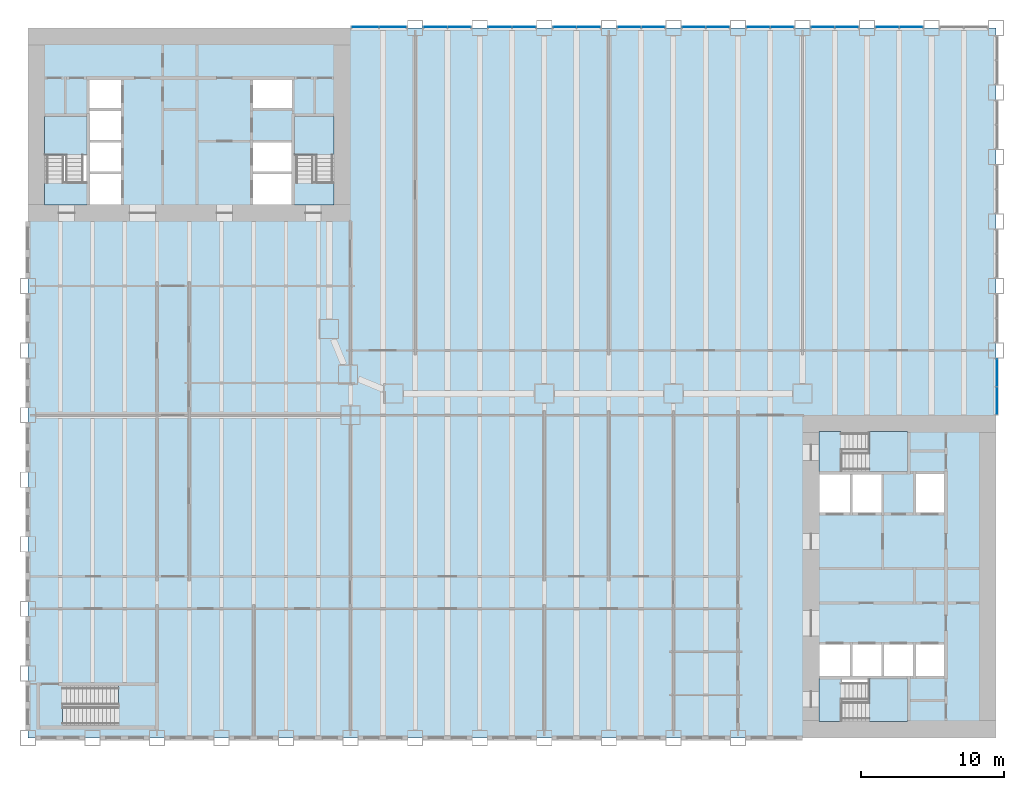
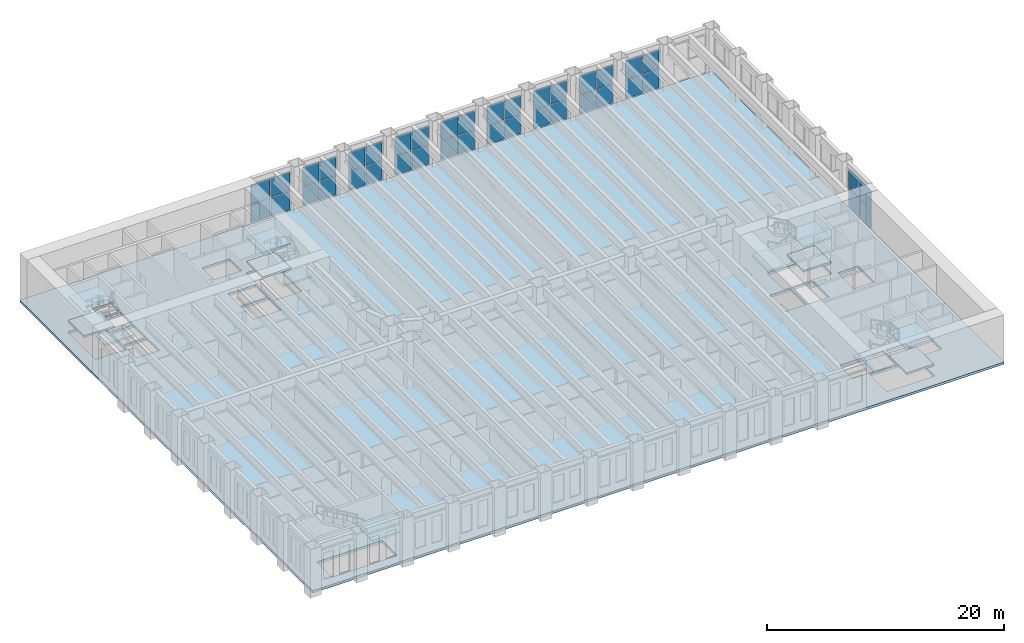
# One storey, part 7 of 19: 40 plates, 14 slabs, 15 elements without a shape of their own.
"""IFC4 building model written with IfcOpenShell, lengths in metres."""

from ifc_helpers import new_model, si_unit, direction, frame, origin, origin_2d, place, context, subcontext, project, spatial, polyline, rectangle, outline, extrude, material, layer, layer_set, type_object, element, aggregate, save


model = new_model("IFC4")

# Units and contexts
model_context = context("Model", 3, precision=1e-05, world=origin(), true_north=direction((0.0, 1.0)))
body_context = subcontext(model_context, "Body", "Model", "MODEL_VIEW")
ifc_project = project(units=[si_unit("LENGTHUNIT", "METRE"), si_unit("AREAUNIT", "SQUARE_METRE"), si_unit("VOLUMEUNIT", "CUBIC_METRE"), si_unit("PLANEANGLEUNIT", "RADIAN"), si_unit("MASSUNIT", "GRAM", prefix="KILO")], contexts=[model_context])

# Site, building, storey
site_placement = place(None, origin())
site = spatial("IfcSite", under=ifc_project, at=site_placement, CompositionType="ELEMENT")
building_placement = place(site_placement, origin())
building = spatial("IfcBuilding", under=site, at=building_placement, Name="Sennacour Bend Tower", CompositionType="ELEMENT")
storey_placement = place(building_placement, frame((0.0, 0.0, 19.0)))
storey = spatial("IfcBuildingStorey", under=building, at=storey_placement, Name="L03", CompositionType="ELEMENT", Elevation=19.0)

# Slab
ifc_material_1 = material(Name="Concrete C30/37", Category="concrete")
ifc_layer_1 = layer(ifc_material_1, 0.25, Name="Concrete C30/37", Category="concrete")
ifc_layer_set_1 = layer_set([ifc_layer_1], Name="Concrete C30/37")
slab_type_1 = type_object("IfcSlabType", Name="Floor slab 250", PredefinedType="FLOOR", material=ifc_layer_set_1)
slab_1_placement = place(storey_placement, frame((0.0, 0.0, -0.25)))
element("IfcSlab", 1, at=slab_1_placement, inside=storey, type_object=slab_type_1, Name="Floor slab L03-01", PredefinedType="FLOOR", context=body_context, shape_type="SweptSolid", body=[
    extrude(outline(polyline([(0.0, 0.0), (0.0, 49.5), (67.5, 49.5), (67.5, 0.0), (0.0, 0.0)]), holes=[polyline([(8.800048828125, 0.949951171875), (8.800048828125, 3.5), (2.429931640625, 3.5), (2.429931640625, 0.949951171875), (8.800048828125, 0.949951171875)]), polyline([(6.5, 37.199951171875), (6.5, 39.300048828125), (4.300048828125, 39.300048828125), (4.300048828125, 37.199951171875), (6.5, 37.199951171875)]), polyline([(18.39990234375, 37.199951171875), (18.39990234375, 39.300048828125), (15.699951171875, 39.300048828125), (15.699951171875, 37.199951171875), (18.39990234375, 37.199951171875)]), polyline([(6.5, 39.5), (6.5, 41.5), (4.300048828125, 41.5), (4.300048828125, 39.5), (6.5, 39.5)]), polyline([(18.39990234375, 39.5), (18.39990234375, 41.5), (15.699951171875, 41.5), (15.699951171875, 39.5), (18.39990234375, 39.5)]), polyline([(4.125, 38.72998046875), (4.125, 43.39990234375), (1.14990234375, 43.39990234375), (1.14990234375, 38.72998046875), (4.125, 38.72998046875)]), polyline([(21.35009765625, 38.72998046875), (21.35009765625, 43.39990234375), (18.574951171875, 43.39990234375), (18.574951171875, 38.72998046875), (21.35009765625, 38.72998046875)]), polyline([(4.300048828125, 41.699951171875), (6.5, 41.699951171875), (6.5, 43.699951171875), (4.300048828125, 43.699951171875), (4.300048828125, 41.699951171875)]), polyline([(4.300048828125, 43.89990234375), (6.5, 43.89990234375), (6.5, 45.89990234375), (4.300048828125, 45.89990234375), (4.300048828125, 43.89990234375)]), polyline([(18.39990234375, 43.89990234375), (18.39990234375, 45.89990234375), (15.699951171875, 45.89990234375), (15.699951171875, 43.89990234375), (18.39990234375, 43.89990234375)]), polyline([(61.39990234375, 1.14990234375), (61.39990234375, 4.125), (56.72998046875, 4.125), (56.72998046875, 1.14990234375), (61.39990234375, 1.14990234375)]), polyline([(57.300048828125, 4.300048828125), (57.300048828125, 6.5), (55.199951171875, 6.5), (55.199951171875, 4.300048828125), (57.300048828125, 4.300048828125)]), polyline([(57.5, 4.300048828125), (59.5, 4.300048828125), (59.5, 6.5), (57.5, 6.5), (57.5, 4.300048828125)]), polyline([(59.699951171875, 4.300048828125), (61.699951171875, 4.300048828125), (61.699951171875, 6.5), (59.699951171875, 6.5), (59.699951171875, 4.300048828125)]), polyline([(63.89990234375, 4.300048828125), (63.89990234375, 6.5), (61.89990234375, 6.5), (61.89990234375, 4.300048828125), (63.89990234375, 4.300048828125)]), polyline([(57.300048828125, 15.699951171875), (57.300048828125, 18.39990234375), (55.199951171875, 18.39990234375), (55.199951171875, 15.699951171875), (57.300048828125, 15.699951171875)]), polyline([(59.5, 15.699951171875), (59.5, 18.39990234375), (57.5, 18.39990234375), (57.5, 15.699951171875), (59.5, 15.699951171875)]), polyline([(61.89990234375, 15.699951171875), (63.89990234375, 15.699951171875), (63.89990234375, 18.39990234375), (61.89990234375, 18.39990234375), (61.89990234375, 15.699951171875)]), polyline([(56.72998046875, 18.574951171875), (61.39990234375, 18.574951171875), (61.39990234375, 21.35009765625), (56.72998046875, 21.35009765625), (56.72998046875, 18.574951171875)])]), origin(), (0.0, 0.0, 1.0), 0.25),
])

# Curtain wall, plates
ifc_material_2 = material(Name="Bronze anodised aluminium curtain wall with clear glass", Category="aluminium")
curtain_wall_type = type_object("IfcCurtainWallType", Name="CURTAIN WALL NOTCH", PredefinedType="NOTDEFINED", material=ifc_material_2)
curtain_wall_1_placement = place(storey_placement, origin())
curtain_wall_1 = element("IfcCurtainWall", 2, at=curtain_wall_1_placement, inside=storey, type_object=curtain_wall_type, Name="Podium glass wall L03", PredefinedType="NOTDEFINED")
ifc_material_3 = material(Name="Clear low-emissivity glass", Category="glass")
ifc_layer_2 = layer(ifc_material_3, 0.031982421875, Name="Clear low-emissivity glass", Category="glass")
ifc_layer_set_2 = layer_set([ifc_layer_2], Name="Clear low-emissivity glass")
plate_type = type_object("IfcPlateType", Name="PNL-GLASS-IGU32", PredefinedType="CURTAIN_PANEL", material=ifc_layer_set_2)
plate_1_placement = place(storey_placement, frame((67.550048828125, 23.503173828125, 0.06005859375), z_axis=(0.0, 0.0, 1.0), x_axis=(0.0, 1.0, 0.0)))
plate_1 = element("IfcPlate", 3, at=plate_1_placement, type_object=plate_type, Name="GW2 curtain wall panel 1.1", PredefinedType="CURTAIN_PANEL", context=body_context, shape_type="SweptSolid", body=[
    extrude(rectangle(XDim=1.884521484375, YDim=0.031982421875, at=origin_2d()), origin(), (0.0, 0.0, 1.0), 1.927978515625),
])
plate_2_placement = place(storey_placement, frame((67.550048828125, 23.503173828125, 2.0478515625), z_axis=(0.0, 0.0, 1.0), x_axis=(0.0, 1.0, 0.0)))
plate_2 = element("IfcPlate", 4, at=plate_2_placement, type_object=plate_type, Name="GW2 curtain wall panel 1.2", PredefinedType="CURTAIN_PANEL", context=body_context, shape_type="SweptSolid", body=[
    extrude(rectangle(XDim=1.884521484375, YDim=0.031982421875, at=origin_2d()), origin(), (0.0, 0.0, 1.0), 1.927978515625),
])
plate_3_placement = place(storey_placement, frame((67.550048828125, 25.44775390625, 0.06005859375), z_axis=(0.0, 0.0, 1.0), x_axis=(0.0, 1.0, 0.0)))
plate_3 = element("IfcPlate", 5, at=plate_3_placement, type_object=plate_type, Name="GW2 curtain wall panel 2.1", PredefinedType="CURTAIN_PANEL", context=body_context, shape_type="SweptSolid", body=[
    extrude(rectangle(XDim=1.884521484375, YDim=0.031982421875, at=origin_2d()), origin(), (0.0, 0.0, 1.0), 1.927978515625),
])
plate_4_placement = place(storey_placement, frame((67.550048828125, 25.44775390625, 2.0478515625), z_axis=(0.0, 0.0, 1.0), x_axis=(0.0, 1.0, 0.0)))
plate_4 = element("IfcPlate", 6, at=plate_4_placement, type_object=plate_type, Name="GW2 curtain wall panel 2.2", PredefinedType="CURTAIN_PANEL", context=body_context, shape_type="SweptSolid", body=[
    extrude(rectangle(XDim=1.884521484375, YDim=0.031982421875, at=origin_2d()), origin(), (0.0, 0.0, 1.0), 1.927978515625),
])
aggregate(curtain_wall_1, [plate_1, plate_2, plate_3, plate_4])

curtain_wall_2_placement = place(storey_placement, origin())
curtain_wall_2 = element("IfcCurtainWall", 7, at=curtain_wall_2_placement, inside=storey, type_object=curtain_wall_type, Name="Podium glass wall L03", PredefinedType="NOTDEFINED")
plate_5_placement = place(storey_placement, frame((61.5849609375, 49.550048828125, 0.06005859375), z_axis=(0.0, 0.0, 1.0), x_axis=(-1.0, 0.0, 0.0)))
plate_5 = element("IfcPlate", 8, at=plate_5_placement, type_object=plate_type, Name="GW2 curtain wall panel 1.1", PredefinedType="CURTAIN_PANEL", context=body_context, shape_type="SweptSolid", body=[
    extrude(rectangle(XDim=1.610107421875, YDim=0.031982421875, at=origin_2d()), origin(), (0.0, 0.0, 1.0), 1.927978515625),
])
plate_6_placement = place(storey_placement, frame((61.5849609375, 49.550048828125, 2.0478515625), z_axis=(0.0, 0.0, 1.0), x_axis=(-1.0, 0.0, 0.0)))
plate_6 = element("IfcPlate", 9, at=plate_6_placement, type_object=plate_type, Name="GW2 curtain wall panel 1.2", PredefinedType="CURTAIN_PANEL", context=body_context, shape_type="SweptSolid", body=[
    extrude(rectangle(XDim=1.610107421875, YDim=0.031982421875, at=origin_2d()), origin(), (0.0, 0.0, 1.0), 1.927978515625),
])
plate_7_placement = place(storey_placement, frame((59.9150390625, 49.550048828125, 0.06005859375), z_axis=(0.0, 0.0, 1.0), x_axis=(-1.0, 0.0, 0.0)))
plate_7 = element("IfcPlate", 10, at=plate_7_placement, type_object=plate_type, Name="GW2 curtain wall panel 2.1", PredefinedType="CURTAIN_PANEL", context=body_context, shape_type="SweptSolid", body=[
    extrude(rectangle(XDim=1.610107421875, YDim=0.031982421875, at=origin_2d()), origin(), (0.0, 0.0, 1.0), 1.927978515625),
])
plate_8_placement = place(storey_placement, frame((59.9150390625, 49.550048828125, 2.0478515625), z_axis=(0.0, 0.0, 1.0), x_axis=(-1.0, 0.0, 0.0)))
plate_8 = element("IfcPlate", 11, at=plate_8_placement, type_object=plate_type, Name="GW2 curtain wall panel 2.2", PredefinedType="CURTAIN_PANEL", context=body_context, shape_type="SweptSolid", body=[
    extrude(rectangle(XDim=1.610107421875, YDim=0.031982421875, at=origin_2d()), origin(), (0.0, 0.0, 1.0), 1.927978515625),
])
aggregate(curtain_wall_2, [plate_5, plate_6, plate_7, plate_8])

curtain_wall_3_placement = place(storey_placement, origin())
curtain_wall_3 = element("IfcCurtainWall", 12, at=curtain_wall_3_placement, inside=storey, type_object=curtain_wall_type, Name="Podium glass wall L03", PredefinedType="NOTDEFINED")
plate_9_placement = place(storey_placement, frame((57.0849609375, 49.550048828125, 0.06005859375), z_axis=(0.0, 0.0, 1.0), x_axis=(-1.0, 0.0, 0.0)))
plate_9 = element("IfcPlate", 13, at=plate_9_placement, type_object=plate_type, Name="GW2 curtain wall panel 1.1", PredefinedType="CURTAIN_PANEL", context=body_context, shape_type="SweptSolid", body=[
    extrude(rectangle(XDim=1.610107421875, YDim=0.031982421875, at=origin_2d()), origin(), (0.0, 0.0, 1.0), 1.927978515625),
])
plate_10_placement = place(storey_placement, frame((57.0849609375, 49.550048828125, 2.0478515625), z_axis=(0.0, 0.0, 1.0), x_axis=(-1.0, 0.0, 0.0)))
plate_10 = element("IfcPlate", 14, at=plate_10_placement, type_object=plate_type, Name="GW2 curtain wall panel 1.2", PredefinedType="CURTAIN_PANEL", context=body_context, shape_type="SweptSolid", body=[
    extrude(rectangle(XDim=1.610107421875, YDim=0.031982421875, at=origin_2d()), origin(), (0.0, 0.0, 1.0), 1.927978515625),
])
plate_11_placement = place(storey_placement, frame((55.4150390625, 49.550048828125, 0.06005859375), z_axis=(0.0, 0.0, 1.0), x_axis=(-1.0, 0.0, 0.0)))
plate_11 = element("IfcPlate", 15, at=plate_11_placement, type_object=plate_type, Name="GW2 curtain wall panel 2.1", PredefinedType="CURTAIN_PANEL", context=body_context, shape_type="SweptSolid", body=[
    extrude(rectangle(XDim=1.610107421875, YDim=0.031982421875, at=origin_2d()), origin(), (0.0, 0.0, 1.0), 1.927978515625),
])
plate_12_placement = place(storey_placement, frame((55.4150390625, 49.550048828125, 2.0478515625), z_axis=(0.0, 0.0, 1.0), x_axis=(-1.0, 0.0, 0.0)))
plate_12 = element("IfcPlate", 16, at=plate_12_placement, type_object=plate_type, Name="GW2 curtain wall panel 2.2", PredefinedType="CURTAIN_PANEL", context=body_context, shape_type="SweptSolid", body=[
    extrude(rectangle(XDim=1.610107421875, YDim=0.031982421875, at=origin_2d()), origin(), (0.0, 0.0, 1.0), 1.927978515625),
])
aggregate(curtain_wall_3, [plate_9, plate_10, plate_11, plate_12])

curtain_wall_4_placement = place(storey_placement, origin())
curtain_wall_4 = element("IfcCurtainWall", 17, at=curtain_wall_4_placement, inside=storey, type_object=curtain_wall_type, Name="Podium glass wall L03", PredefinedType="NOTDEFINED")
plate_13_placement = place(storey_placement, frame((52.5849609375, 49.550048828125, 0.06005859375), z_axis=(0.0, 0.0, 1.0), x_axis=(-1.0, 0.0, 0.0)))
plate_13 = element("IfcPlate", 18, at=plate_13_placement, type_object=plate_type, Name="GW2 curtain wall panel 1.1", PredefinedType="CURTAIN_PANEL", context=body_context, shape_type="SweptSolid", body=[
    extrude(rectangle(XDim=1.610107421875, YDim=0.031982421875, at=origin_2d()), origin(), (0.0, 0.0, 1.0), 1.927978515625),
])
plate_14_placement = place(storey_placement, frame((52.5849609375, 49.550048828125, 2.0478515625), z_axis=(0.0, 0.0, 1.0), x_axis=(-1.0, 0.0, 0.0)))
plate_14 = element("IfcPlate", 19, at=plate_14_placement, type_object=plate_type, Name="GW2 curtain wall panel 1.2", PredefinedType="CURTAIN_PANEL", context=body_context, shape_type="SweptSolid", body=[
    extrude(rectangle(XDim=1.610107421875, YDim=0.031982421875, at=origin_2d()), origin(), (0.0, 0.0, 1.0), 1.927978515625),
])
plate_15_placement = place(storey_placement, frame((50.9150390625, 49.550048828125, 0.06005859375), z_axis=(0.0, 0.0, 1.0), x_axis=(-1.0, 0.0, 0.0)))
plate_15 = element("IfcPlate", 20, at=plate_15_placement, type_object=plate_type, Name="GW2 curtain wall panel 2.1", PredefinedType="CURTAIN_PANEL", context=body_context, shape_type="SweptSolid", body=[
    extrude(rectangle(XDim=1.610107421875, YDim=0.031982421875, at=origin_2d()), origin(), (0.0, 0.0, 1.0), 1.927978515625),
])
plate_16_placement = place(storey_placement, frame((50.9150390625, 49.550048828125, 2.0478515625), z_axis=(0.0, 0.0, 1.0), x_axis=(-1.0, 0.0, 0.0)))
plate_16 = element("IfcPlate", 21, at=plate_16_placement, type_object=plate_type, Name="GW2 curtain wall panel 2.2", PredefinedType="CURTAIN_PANEL", context=body_context, shape_type="SweptSolid", body=[
    extrude(rectangle(XDim=1.610107421875, YDim=0.031982421875, at=origin_2d()), origin(), (0.0, 0.0, 1.0), 1.927978515625),
])
aggregate(curtain_wall_4, [plate_13, plate_14, plate_15, plate_16])

curtain_wall_5_placement = place(storey_placement, origin())
curtain_wall_5 = element("IfcCurtainWall", 22, at=curtain_wall_5_placement, inside=storey, type_object=curtain_wall_type, Name="Podium glass wall L03", PredefinedType="NOTDEFINED")
plate_17_placement = place(storey_placement, frame((48.0849609375, 49.550048828125, 0.06005859375), z_axis=(0.0, 0.0, 1.0), x_axis=(-1.0, 0.0, 0.0)))
plate_17 = element("IfcPlate", 23, at=plate_17_placement, type_object=plate_type, Name="GW2 curtain wall panel 1.1", PredefinedType="CURTAIN_PANEL", context=body_context, shape_type="SweptSolid", body=[
    extrude(rectangle(XDim=1.610107421875, YDim=0.031982421875, at=origin_2d()), origin(), (0.0, 0.0, 1.0), 1.927978515625),
])
plate_18_placement = place(storey_placement, frame((48.0849609375, 49.550048828125, 2.0478515625), z_axis=(0.0, 0.0, 1.0), x_axis=(-1.0, 0.0, 0.0)))
plate_18 = element("IfcPlate", 24, at=plate_18_placement, type_object=plate_type, Name="GW2 curtain wall panel 1.2", PredefinedType="CURTAIN_PANEL", context=body_context, shape_type="SweptSolid", body=[
    extrude(rectangle(XDim=1.610107421875, YDim=0.031982421875, at=origin_2d()), origin(), (0.0, 0.0, 1.0), 1.927978515625),
])
plate_19_placement = place(storey_placement, frame((46.4150390625, 49.550048828125, 0.06005859375), z_axis=(0.0, 0.0, 1.0), x_axis=(-1.0, 0.0, 0.0)))
plate_19 = element("IfcPlate", 25, at=plate_19_placement, type_object=plate_type, Name="GW2 curtain wall panel 2.1", PredefinedType="CURTAIN_PANEL", context=body_context, shape_type="SweptSolid", body=[
    extrude(rectangle(XDim=1.610107421875, YDim=0.031982421875, at=origin_2d()), origin(), (0.0, 0.0, 1.0), 1.927978515625),
])
plate_20_placement = place(storey_placement, frame((46.4150390625, 49.550048828125, 2.0478515625), z_axis=(0.0, 0.0, 1.0), x_axis=(-1.0, 0.0, 0.0)))
plate_20 = element("IfcPlate", 26, at=plate_20_placement, type_object=plate_type, Name="GW2 curtain wall panel 2.2", PredefinedType="CURTAIN_PANEL", context=body_context, shape_type="SweptSolid", body=[
    extrude(rectangle(XDim=1.610107421875, YDim=0.031982421875, at=origin_2d()), origin(), (0.0, 0.0, 1.0), 1.927978515625),
])
aggregate(curtain_wall_5, [plate_17, plate_18, plate_19, plate_20])

curtain_wall_6_placement = place(storey_placement, origin())
curtain_wall_6 = element("IfcCurtainWall", 27, at=curtain_wall_6_placement, inside=storey, type_object=curtain_wall_type, Name="Podium glass wall L03", PredefinedType="NOTDEFINED")
plate_21_placement = place(storey_placement, frame((43.5849609375, 49.550048828125, 0.06005859375), z_axis=(0.0, 0.0, 1.0), x_axis=(-1.0, 0.0, 0.0)))
plate_21 = element("IfcPlate", 28, at=plate_21_placement, type_object=plate_type, Name="GW2 curtain wall panel 1.1", PredefinedType="CURTAIN_PANEL", context=body_context, shape_type="SweptSolid", body=[
    extrude(rectangle(XDim=1.610107421875, YDim=0.031982421875, at=origin_2d()), origin(), (0.0, 0.0, 1.0), 1.927978515625),
])
plate_22_placement = place(storey_placement, frame((43.5849609375, 49.550048828125, 2.0478515625), z_axis=(0.0, 0.0, 1.0), x_axis=(-1.0, 0.0, 0.0)))
plate_22 = element("IfcPlate", 29, at=plate_22_placement, type_object=plate_type, Name="GW2 curtain wall panel 1.2", PredefinedType="CURTAIN_PANEL", context=body_context, shape_type="SweptSolid", body=[
    extrude(rectangle(XDim=1.610107421875, YDim=0.031982421875, at=origin_2d()), origin(), (0.0, 0.0, 1.0), 1.927978515625),
])
plate_23_placement = place(storey_placement, frame((41.9150390625, 49.550048828125, 0.06005859375), z_axis=(0.0, 0.0, 1.0), x_axis=(-1.0, 0.0, 0.0)))
plate_23 = element("IfcPlate", 30, at=plate_23_placement, type_object=plate_type, Name="GW2 curtain wall panel 2.1", PredefinedType="CURTAIN_PANEL", context=body_context, shape_type="SweptSolid", body=[
    extrude(rectangle(XDim=1.610107421875, YDim=0.031982421875, at=origin_2d()), origin(), (0.0, 0.0, 1.0), 1.927978515625),
])
plate_24_placement = place(storey_placement, frame((41.9150390625, 49.550048828125, 2.0478515625), z_axis=(0.0, 0.0, 1.0), x_axis=(-1.0, 0.0, 0.0)))
plate_24 = element("IfcPlate", 31, at=plate_24_placement, type_object=plate_type, Name="GW2 curtain wall panel 2.2", PredefinedType="CURTAIN_PANEL", context=body_context, shape_type="SweptSolid", body=[
    extrude(rectangle(XDim=1.610107421875, YDim=0.031982421875, at=origin_2d()), origin(), (0.0, 0.0, 1.0), 1.927978515625),
])
aggregate(curtain_wall_6, [plate_21, plate_22, plate_23, plate_24])

curtain_wall_7_placement = place(storey_placement, origin())
curtain_wall_7 = element("IfcCurtainWall", 32, at=curtain_wall_7_placement, inside=storey, type_object=curtain_wall_type, Name="Podium glass wall L03", PredefinedType="NOTDEFINED")
plate_25_placement = place(storey_placement, frame((39.0849609375, 49.550048828125, 0.06005859375), z_axis=(0.0, 0.0, 1.0), x_axis=(-1.0, 0.0, 0.0)))
plate_25 = element("IfcPlate", 33, at=plate_25_placement, type_object=plate_type, Name="GW2 curtain wall panel 1.1", PredefinedType="CURTAIN_PANEL", context=body_context, shape_type="SweptSolid", body=[
    extrude(rectangle(XDim=1.610107421875, YDim=0.031982421875, at=origin_2d()), origin(), (0.0, 0.0, 1.0), 1.927978515625),
])
plate_26_placement = place(storey_placement, frame((39.0849609375, 49.550048828125, 2.0478515625), z_axis=(0.0, 0.0, 1.0), x_axis=(-1.0, 0.0, 0.0)))
plate_26 = element("IfcPlate", 34, at=plate_26_placement, type_object=plate_type, Name="GW2 curtain wall panel 1.2", PredefinedType="CURTAIN_PANEL", context=body_context, shape_type="SweptSolid", body=[
    extrude(rectangle(XDim=1.610107421875, YDim=0.031982421875, at=origin_2d()), origin(), (0.0, 0.0, 1.0), 1.927978515625),
])
plate_27_placement = place(storey_placement, frame((37.4150390625, 49.550048828125, 0.06005859375), z_axis=(0.0, 0.0, 1.0), x_axis=(-1.0, 0.0, 0.0)))
plate_27 = element("IfcPlate", 35, at=plate_27_placement, type_object=plate_type, Name="GW2 curtain wall panel 2.1", PredefinedType="CURTAIN_PANEL", context=body_context, shape_type="SweptSolid", body=[
    extrude(rectangle(XDim=1.610107421875, YDim=0.031982421875, at=origin_2d()), origin(), (0.0, 0.0, 1.0), 1.927978515625),
])
plate_28_placement = place(storey_placement, frame((37.4150390625, 49.550048828125, 2.0478515625), z_axis=(0.0, 0.0, 1.0), x_axis=(-1.0, 0.0, 0.0)))
plate_28 = element("IfcPlate", 36, at=plate_28_placement, type_object=plate_type, Name="GW2 curtain wall panel 2.2", PredefinedType="CURTAIN_PANEL", context=body_context, shape_type="SweptSolid", body=[
    extrude(rectangle(XDim=1.610107421875, YDim=0.031982421875, at=origin_2d()), origin(), (0.0, 0.0, 1.0), 1.927978515625),
])
aggregate(curtain_wall_7, [plate_25, plate_26, plate_27, plate_28])

curtain_wall_8_placement = place(storey_placement, origin())
curtain_wall_8 = element("IfcCurtainWall", 37, at=curtain_wall_8_placement, inside=storey, type_object=curtain_wall_type, Name="Podium glass wall L03", PredefinedType="NOTDEFINED")
plate_29_placement = place(storey_placement, frame((34.5849609375, 49.550048828125, 0.06005859375), z_axis=(0.0, 0.0, 1.0), x_axis=(-1.0, 0.0, 0.0)))
plate_29 = element("IfcPlate", 38, at=plate_29_placement, type_object=plate_type, Name="GW2 curtain wall panel 1.1", PredefinedType="CURTAIN_PANEL", context=body_context, shape_type="SweptSolid", body=[
    extrude(rectangle(XDim=1.610107421875, YDim=0.031982421875, at=origin_2d()), origin(), (0.0, 0.0, 1.0), 1.927978515625),
])
plate_30_placement = place(storey_placement, frame((34.5849609375, 49.550048828125, 2.0478515625), z_axis=(0.0, 0.0, 1.0), x_axis=(-1.0, 0.0, 0.0)))
plate_30 = element("IfcPlate", 39, at=plate_30_placement, type_object=plate_type, Name="GW2 curtain wall panel 1.2", PredefinedType="CURTAIN_PANEL", context=body_context, shape_type="SweptSolid", body=[
    extrude(rectangle(XDim=1.610107421875, YDim=0.031982421875, at=origin_2d()), origin(), (0.0, 0.0, 1.0), 1.927978515625),
])
plate_31_placement = place(storey_placement, frame((32.9150390625, 49.550048828125, 0.06005859375), z_axis=(0.0, 0.0, 1.0), x_axis=(-1.0, 0.0, 0.0)))
plate_31 = element("IfcPlate", 40, at=plate_31_placement, type_object=plate_type, Name="GW2 curtain wall panel 2.1", PredefinedType="CURTAIN_PANEL", context=body_context, shape_type="SweptSolid", body=[
    extrude(rectangle(XDim=1.610107421875, YDim=0.031982421875, at=origin_2d()), origin(), (0.0, 0.0, 1.0), 1.927978515625),
])
plate_32_placement = place(storey_placement, frame((32.9150390625, 49.550048828125, 2.0478515625), z_axis=(0.0, 0.0, 1.0), x_axis=(-1.0, 0.0, 0.0)))
plate_32 = element("IfcPlate", 41, at=plate_32_placement, type_object=plate_type, Name="GW2 curtain wall panel 2.2", PredefinedType="CURTAIN_PANEL", context=body_context, shape_type="SweptSolid", body=[
    extrude(rectangle(XDim=1.610107421875, YDim=0.031982421875, at=origin_2d()), origin(), (0.0, 0.0, 1.0), 1.927978515625),
])
aggregate(curtain_wall_8, [plate_29, plate_30, plate_31, plate_32])

curtain_wall_9_placement = place(storey_placement, origin())
curtain_wall_9 = element("IfcCurtainWall", 42, at=curtain_wall_9_placement, inside=storey, type_object=curtain_wall_type, Name="Podium glass wall L03", PredefinedType="NOTDEFINED")
plate_33_placement = place(storey_placement, frame((30.0849609375, 49.550048828125, 0.06005859375), z_axis=(0.0, 0.0, 1.0), x_axis=(-1.0, 0.0, 0.0)))
plate_33 = element("IfcPlate", 43, at=plate_33_placement, type_object=plate_type, Name="GW2 curtain wall panel 1.1", PredefinedType="CURTAIN_PANEL", context=body_context, shape_type="SweptSolid", body=[
    extrude(rectangle(XDim=1.610107421875, YDim=0.031982421875, at=origin_2d()), origin(), (0.0, 0.0, 1.0), 1.927978515625),
])
plate_34_placement = place(storey_placement, frame((30.0849609375, 49.550048828125, 2.0478515625), z_axis=(0.0, 0.0, 1.0), x_axis=(-1.0, 0.0, 0.0)))
plate_34 = element("IfcPlate", 44, at=plate_34_placement, type_object=plate_type, Name="GW2 curtain wall panel 1.2", PredefinedType="CURTAIN_PANEL", context=body_context, shape_type="SweptSolid", body=[
    extrude(rectangle(XDim=1.610107421875, YDim=0.031982421875, at=origin_2d()), origin(), (0.0, 0.0, 1.0), 1.927978515625),
])
plate_35_placement = place(storey_placement, frame((28.4150390625, 49.550048828125, 0.06005859375), z_axis=(0.0, 0.0, 1.0), x_axis=(-1.0, 0.0, 0.0)))
plate_35 = element("IfcPlate", 45, at=plate_35_placement, type_object=plate_type, Name="GW2 curtain wall panel 2.1", PredefinedType="CURTAIN_PANEL", context=body_context, shape_type="SweptSolid", body=[
    extrude(rectangle(XDim=1.610107421875, YDim=0.031982421875, at=origin_2d()), origin(), (0.0, 0.0, 1.0), 1.927978515625),
])
plate_36_placement = place(storey_placement, frame((28.4150390625, 49.550048828125, 2.0478515625), z_axis=(0.0, 0.0, 1.0), x_axis=(-1.0, 0.0, 0.0)))
plate_36 = element("IfcPlate", 46, at=plate_36_placement, type_object=plate_type, Name="GW2 curtain wall panel 2.2", PredefinedType="CURTAIN_PANEL", context=body_context, shape_type="SweptSolid", body=[
    extrude(rectangle(XDim=1.610107421875, YDim=0.031982421875, at=origin_2d()), origin(), (0.0, 0.0, 1.0), 1.927978515625),
])
aggregate(curtain_wall_9, [plate_33, plate_34, plate_35, plate_36])

curtain_wall_10_placement = place(storey_placement, origin())
curtain_wall_10 = element("IfcCurtainWall", 47, at=curtain_wall_10_placement, inside=storey, type_object=curtain_wall_type, Name="Podium glass wall L03", PredefinedType="NOTDEFINED")
plate_37_placement = place(storey_placement, frame((25.44775390625, 49.550048828125, 0.06005859375), z_axis=(0.0, 0.0, 1.0), x_axis=(-1.0, 0.0, 0.0)))
plate_37 = element("IfcPlate", 48, at=plate_37_placement, type_object=plate_type, Name="GW2 curtain wall panel 1.1", PredefinedType="CURTAIN_PANEL", context=body_context, shape_type="SweptSolid", body=[
    extrude(rectangle(XDim=1.884521484375, YDim=0.031982421875, at=origin_2d()), origin(), (0.0, 0.0, 1.0), 1.927978515625),
])
plate_38_placement = place(storey_placement, frame((25.44775390625, 49.550048828125, 2.0478515625), z_axis=(0.0, 0.0, 1.0), x_axis=(-1.0, 0.0, 0.0)))
plate_38 = element("IfcPlate", 49, at=plate_38_placement, type_object=plate_type, Name="GW2 curtain wall panel 1.2", PredefinedType="CURTAIN_PANEL", context=body_context, shape_type="SweptSolid", body=[
    extrude(rectangle(XDim=1.884521484375, YDim=0.031982421875, at=origin_2d()), origin(), (0.0, 0.0, 1.0), 1.927978515625),
])
plate_39_placement = place(storey_placement, frame((23.503173828125, 49.550048828125, 0.06005859375), z_axis=(0.0, 0.0, 1.0), x_axis=(-1.0, 0.0, 0.0)))
plate_39 = element("IfcPlate", 50, at=plate_39_placement, type_object=plate_type, Name="GW2 curtain wall panel 2.1", PredefinedType="CURTAIN_PANEL", context=body_context, shape_type="SweptSolid", body=[
    extrude(rectangle(XDim=1.884521484375, YDim=0.031982421875, at=origin_2d()), origin(), (0.0, 0.0, 1.0), 1.927978515625),
])
plate_40_placement = place(storey_placement, frame((23.503173828125, 49.550048828125, 2.0478515625), z_axis=(0.0, 0.0, 1.0), x_axis=(-1.0, 0.0, 0.0)))
plate_40 = element("IfcPlate", 51, at=plate_40_placement, type_object=plate_type, Name="GW2 curtain wall panel 2.2", PredefinedType="CURTAIN_PANEL", context=body_context, shape_type="SweptSolid", body=[
    extrude(rectangle(XDim=1.884521484375, YDim=0.031982421875, at=origin_2d()), origin(), (0.0, 0.0, 1.0), 1.927978515625),
])
aggregate(curtain_wall_10, [plate_37, plate_38, plate_39, plate_40])

# Stair, slabs
ifc_material_4 = material(Name="Concrete C40/50", Category="concrete")
stair_type = type_object("IfcStairType", Name="ST-DOGLEG", PredefinedType="HALF_TURN_STAIR", material=ifc_material_4)
stair_1_placement = place(storey_placement, origin())
stair_1 = element("IfcStair", 52, at=stair_1_placement, inside=storey, type_object=stair_type, Name="L03 Exit stair A1", PredefinedType="HALF_TURN_STAIR")
ifc_layer_3 = layer(ifc_material_4, 0.199951171875, Name="Concrete C40/50", Category="concrete")
ifc_layer_set_3 = layer_set([ifc_layer_3], Name="Concrete C40/50")
slab_type_2 = type_object("IfcSlabType", Name="Stair landing 200", PredefinedType="LANDING", material=ifc_layer_set_3)
slab_2_placement = place(storey_placement, frame((0.0, 0.0, 1.050048828125)))
slab_2 = element("IfcSlab", 53, at=slab_2_placement, type_object=slab_type_2, Name="SA1 landing 1", PredefinedType="LANDING", context=body_context, shape_type="SweptSolid", body=[
    extrude(outline(polyline([(58.659912109375, 1.14990234375), (61.324951171875, 1.14990234375), (61.324951171875, 4.125), (58.659912109375, 4.125), (58.659912109375, 1.14990234375)])), origin(), (0.0, 0.0, 1.0), 0.199951171875),
])
slab_3_placement = place(storey_placement, frame((0.0, 0.0, 2.300048828125)))
slab_3 = element("IfcSlab", 54, at=slab_3_placement, type_object=slab_type_2, Name="SA1 landing 2", PredefinedType="LANDING", context=body_context, shape_type="SweptSolid", body=[
    extrude(outline(polyline([(55.14990234375, 1.14990234375), (56.699951171875, 1.14990234375), (56.699951171875, 4.125), (55.14990234375, 4.125), (55.14990234375, 1.14990234375)])), origin(), (0.0, 0.0, 1.0), 0.199951171875),
])
slab_4_placement = place(storey_placement, frame((0.0, 0.0, 3.550048828125)))
slab_4 = element("IfcSlab", 55, at=slab_4_placement, type_object=slab_type_2, Name="SA1 landing 3", PredefinedType="LANDING", context=body_context, shape_type="SweptSolid", body=[
    extrude(outline(polyline([(58.659912109375, 1.14990234375), (61.324951171875, 1.14990234375), (61.324951171875, 4.125), (58.659912109375, 4.125), (58.659912109375, 1.14990234375)])), origin(), (0.0, 0.0, 1.0), 0.199951171875),
])
aggregate(stair_1, [slab_2, slab_3, slab_4])

stair_2_placement = place(storey_placement, origin())
stair_2 = element("IfcStair", 56, at=stair_2_placement, inside=storey, type_object=stair_type, Name="L03 Exit stair A2", PredefinedType="HALF_TURN_STAIR")
slab_5_placement = place(storey_placement, frame((0.0, 0.0, 1.050048828125)))
slab_5 = element("IfcSlab", 57, at=slab_5_placement, type_object=slab_type_2, Name="SA2 landing 1", PredefinedType="LANDING", context=body_context, shape_type="SweptSolid", body=[
    extrude(outline(polyline([(58.659912109375, 18.574951171875), (61.324951171875, 18.574951171875), (61.324951171875, 21.35009765625), (58.659912109375, 21.35009765625), (58.659912109375, 18.574951171875)])), origin(), (0.0, 0.0, 1.0), 0.199951171875),
])
slab_6_placement = place(storey_placement, frame((0.0, 0.0, 2.300048828125)))
slab_6 = element("IfcSlab", 58, at=slab_6_placement, type_object=slab_type_2, Name="SA2 landing 2", PredefinedType="LANDING", context=body_context, shape_type="SweptSolid", body=[
    extrude(outline(polyline([(55.14990234375, 18.574951171875), (56.699951171875, 18.574951171875), (56.699951171875, 21.35009765625), (55.14990234375, 21.35009765625), (55.14990234375, 18.574951171875)])), origin(), (0.0, 0.0, 1.0), 0.199951171875),
])
slab_7_placement = place(storey_placement, frame((0.0, 0.0, 3.550048828125)))
slab_7 = element("IfcSlab", 59, at=slab_7_placement, type_object=slab_type_2, Name="SA2 landing 3", PredefinedType="LANDING", context=body_context, shape_type="SweptSolid", body=[
    extrude(outline(polyline([(58.659912109375, 18.574951171875), (61.324951171875, 18.574951171875), (61.324951171875, 21.35009765625), (58.659912109375, 21.35009765625), (58.659912109375, 18.574951171875)])), origin(), (0.0, 0.0, 1.0), 0.199951171875),
])
aggregate(stair_2, [slab_5, slab_6, slab_7])

stair_3_placement = place(storey_placement, origin())
stair_3 = element("IfcStair", 60, at=stair_3_placement, inside=storey, type_object=stair_type, Name="L03 Exit stair B1", PredefinedType="HALF_TURN_STAIR")
slab_8_placement = place(storey_placement, frame((0.0, 0.0, 1.050048828125)))
slab_8 = element("IfcSlab", 61, at=slab_8_placement, type_object=slab_type_2, Name="SB1 landing 1", PredefinedType="LANDING", context=body_context, shape_type="SweptSolid", body=[
    extrude(outline(polyline([(1.14990234375, 40.659912109375), (4.125, 40.659912109375), (4.125, 43.324951171875), (1.14990234375, 43.324951171875), (1.14990234375, 40.659912109375)])), origin(), (0.0, 0.0, 1.0), 0.199951171875),
])
slab_9_placement = place(storey_placement, frame((0.0, 0.0, 2.300048828125)))
slab_9 = element("IfcSlab", 62, at=slab_9_placement, type_object=slab_type_2, Name="SB1 landing 2", PredefinedType="LANDING", context=body_context, shape_type="SweptSolid", body=[
    extrude(outline(polyline([(1.14990234375, 37.14990234375), (4.125, 37.14990234375), (4.125, 38.699951171875), (1.14990234375, 38.699951171875), (1.14990234375, 37.14990234375)])), origin(), (0.0, 0.0, 1.0), 0.199951171875),
])
slab_10_placement = place(storey_placement, frame((0.0, 0.0, 3.550048828125)))
slab_10 = element("IfcSlab", 63, at=slab_10_placement, type_object=slab_type_2, Name="SB1 landing 3", PredefinedType="LANDING", context=body_context, shape_type="SweptSolid", body=[
    extrude(outline(polyline([(1.14990234375, 40.659912109375), (4.125, 40.659912109375), (4.125, 43.324951171875), (1.14990234375, 43.324951171875), (1.14990234375, 40.659912109375)])), origin(), (0.0, 0.0, 1.0), 0.199951171875),
])
aggregate(stair_3, [slab_8, slab_9, slab_10])

stair_4_placement = place(storey_placement, origin())
stair_4 = element("IfcStair", 64, at=stair_4_placement, inside=storey, type_object=stair_type, Name="L03 Exit stair B2", PredefinedType="HALF_TURN_STAIR")
slab_11_placement = place(storey_placement, frame((0.0, 0.0, 1.050048828125)))
slab_11 = element("IfcSlab", 65, at=slab_11_placement, type_object=slab_type_2, Name="SB2 landing 1", PredefinedType="LANDING", context=body_context, shape_type="SweptSolid", body=[
    extrude(outline(polyline([(18.574951171875, 40.659912109375), (21.35009765625, 40.659912109375), (21.35009765625, 43.324951171875), (18.574951171875, 43.324951171875), (18.574951171875, 40.659912109375)])), origin(), (0.0, 0.0, 1.0), 0.199951171875),
])
slab_12_placement = place(storey_placement, frame((0.0, 0.0, 2.300048828125)))
slab_12 = element("IfcSlab", 66, at=slab_12_placement, type_object=slab_type_2, Name="SB2 landing 2", PredefinedType="LANDING", context=body_context, shape_type="SweptSolid", body=[
    extrude(outline(polyline([(18.574951171875, 37.14990234375), (21.35009765625, 37.14990234375), (21.35009765625, 38.699951171875), (18.574951171875, 38.699951171875), (18.574951171875, 37.14990234375)])), origin(), (0.0, 0.0, 1.0), 0.199951171875),
])
slab_13_placement = place(storey_placement, frame((0.0, 0.0, 3.550048828125)))
slab_13 = element("IfcSlab", 67, at=slab_13_placement, type_object=slab_type_2, Name="SB2 landing 3", PredefinedType="LANDING", context=body_context, shape_type="SweptSolid", body=[
    extrude(outline(polyline([(18.574951171875, 40.659912109375), (21.35009765625, 40.659912109375), (21.35009765625, 43.324951171875), (18.574951171875, 43.324951171875), (18.574951171875, 40.659912109375)])), origin(), (0.0, 0.0, 1.0), 0.199951171875),
])
aggregate(stair_4, [slab_11, slab_12, slab_13])

# Stair, slab
stair_5_placement = place(storey_placement, origin())
stair_5 = element("IfcStair", 68, at=stair_5_placement, inside=storey, type_object=stair_type, Name="L03 Exit stair K1", PredefinedType="HALF_TURN_STAIR")
slab_14_placement = place(storey_placement, frame((0.0, 0.0, 2.300048828125)))
slab_14 = element("IfcSlab", 69, at=slab_14_placement, type_object=slab_type_2, Name="SK1 landing 1", PredefinedType="LANDING", context=body_context, shape_type="SweptSolid", body=[
    extrude(outline(polyline([(6.320068359375, 0.800048828125), (8.925048828125, 0.800048828125), (8.925048828125, 3.675048828125), (6.320068359375, 3.675048828125), (6.320068359375, 0.800048828125)])), origin(), (0.0, 0.0, 1.0), 0.199951171875),
])
aggregate(stair_5, [slab_14])

save(model, "model.ifc")
